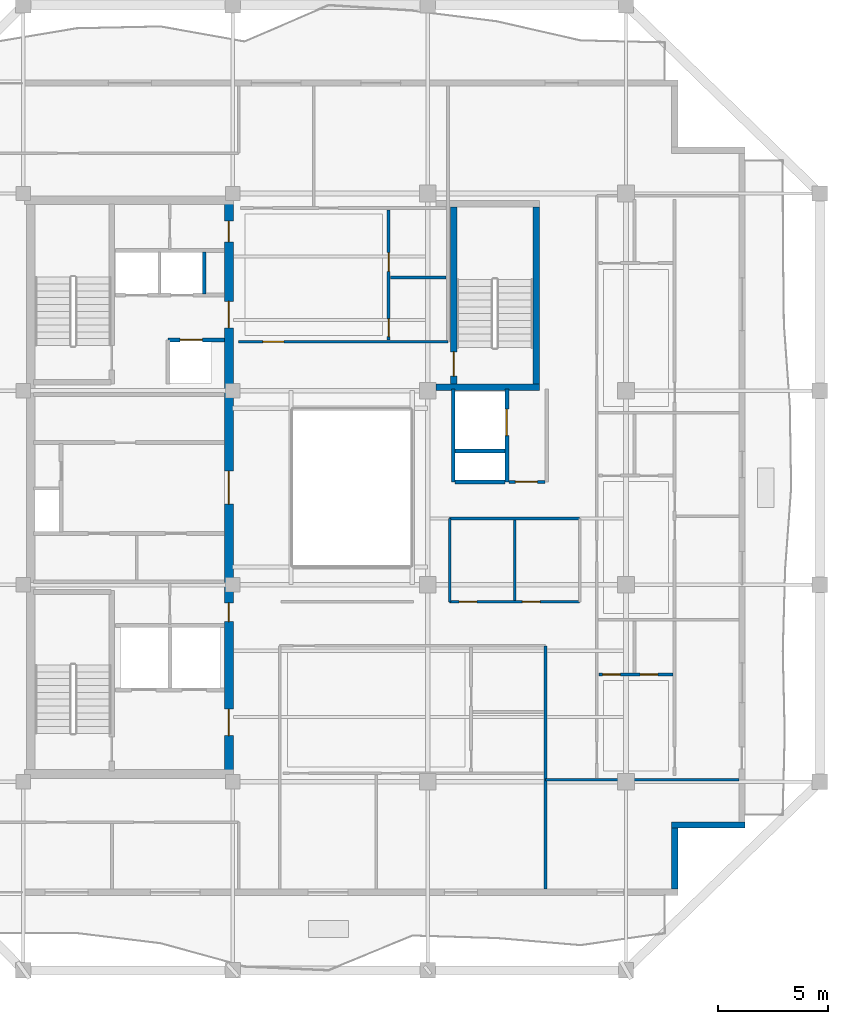
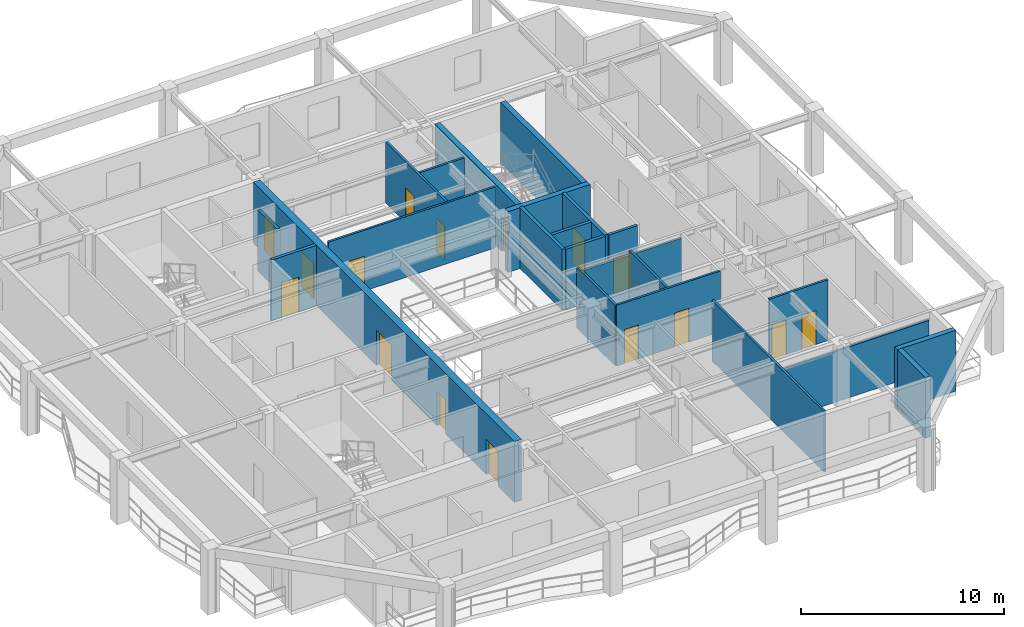
# One storey, part 4 of 10: 23 walls, 16 doors, 16 openings.
"""IFC4 building model written with IfcOpenShell, lengths in metres."""

from ifc_helpers import new_model, si_unit, direction, frame, frame_2d, origin, place, context, subcontext, project, spatial, rectangle, extrude, material, layer, layer_set, type_object, element, fill, save


model = new_model("IFC4")

# Units and contexts
model_context = context("Model", 3, precision=1e-05, world=origin(), true_north=direction((0.0, 1.0)))
body_context = subcontext(model_context, "Body", "Model", "MODEL_VIEW")
ifc_project = project(units=[si_unit("LENGTHUNIT", "METRE"), si_unit("AREAUNIT", "SQUARE_METRE"), si_unit("VOLUMEUNIT", "CUBIC_METRE"), si_unit("PLANEANGLEUNIT", "RADIAN"), si_unit("MASSUNIT", "GRAM", prefix="KILO")], contexts=[model_context])

# Site, building, storey
site_placement = place(None, origin())
site = spatial("IfcSite", under=ifc_project, at=site_placement, CompositionType="ELEMENT")
building_placement = place(site_placement, origin())
building = spatial("IfcBuilding", under=site, at=building_placement, Name="Kundavana Baori Tower", CompositionType="ELEMENT")
storey_placement = place(building_placement, frame((0.0, 0.0, 284.300048828125)))
storey = spatial("IfcBuildingStorey", under=building, at=storey_placement, Name="L70", CompositionType="ELEMENT", Elevation=284.300048828125)

# Wall, openings, doors
ifc_material_1 = material(Name="Concrete C50/60", Category="concrete")
ifc_layer_1 = layer(ifc_material_1, 0.39990234375, Name="WL-CORE-400")
ifc_layer_set_1 = layer_set([ifc_layer_1], Name="Concrete C50/60")
wall_type_1 = type_object("IfcWallType", Name="WL-CORE-400", PredefinedType="SHEAR", material=ifc_layer_set_1)
wall_1_placement = place(storey_placement, frame((24.780029296875, 15.739990234375, 0.0), z_axis=(0.0, 0.0, 1.0), x_axis=(0.0, 1.0, 0.0)))
wall_1 = element("IfcWall", 1, at=wall_1_placement, inside=storey, type_object=wall_type_1, Name="L70 Offset Core East Shear Wall", PredefinedType="SHEAR", context=body_context, shape_type="SweptSolid", body=[
    extrude(rectangle(XDim=25.760009765625, YDim=0.39990234375, at=frame_2d((12.8798828125, 0.0))), origin(), (0.0, 0.0, 1.0), 3.659912109375),
])
opening_1_placement = place(wall_1_placement, frame((1.610107421875, 0.0, 0.0)))
opening_1 = element("IfcOpeningElement", 2, at=opening_1_placement, cuts=wall_1, Name="Opening FD-120", PredefinedType="OPENING", context=body_context, shape_type="SweptSolid", body=[
    extrude(rectangle(XDim=1.199951171875, YDim=2.10009765625, at=frame_2d((0.60009765625, 1.050048828125))), frame((0.0, 0.2099609375, 0.0), z_axis=(0.0, -1.0, 0.0), x_axis=(1.0, 0.0, 0.0)), (0.0, 0.0, 1.0), 0.419921875),
])
opening_2_placement = place(wall_1_placement, frame((6.780029296875, 0.0, 0.0)))
opening_2 = element("IfcOpeningElement", 3, at=opening_2_placement, cuts=wall_1, Name="Opening FD-085", PredefinedType="OPENING", context=body_context, shape_type="SweptSolid", body=[
    extrude(rectangle(XDim=0.85009765625, YDim=2.06005859375, at=frame_2d((0.425048828125, 1.030029296875))), frame((0.0, 0.2099609375, 0.0), z_axis=(0.0, -1.0, 0.0), x_axis=(1.0, 0.0, 0.0)), (0.0, 0.0, 1.0), 0.419921875),
])
opening_3_placement = place(wall_1_placement, frame((12.110107421875, 0.0, 0.0)))
opening_3 = element("IfcOpeningElement", 4, at=opening_3_placement, cuts=wall_1, Name="Opening FD-150", PredefinedType="OPENING", context=body_context, shape_type="SweptSolid", body=[
    extrude(rectangle(XDim=1.5, YDim=2.1201171875, at=frame_2d((0.75, 1.06005859375))), frame((0.0, 0.2099609375, 0.0), z_axis=(0.0, -1.0, 0.0), x_axis=(1.0, 0.0, 0.0)), (0.0, 0.0, 1.0), 0.419921875),
])
opening_4_placement = place(wall_1_placement, frame((20.110107421875, 0.0, 0.0)))
opening_4 = element("IfcOpeningElement", 5, at=opening_4_placement, cuts=wall_1, Name="Opening FD-122", PredefinedType="OPENING", context=body_context, shape_type="SweptSolid", body=[
    extrude(rectangle(XDim=1.199951171875, YDim=2.1201171875, at=frame_2d((0.60009765625, 1.06005859375))), frame((0.0, 0.2099609375, 0.0), z_axis=(0.0, -1.0, 0.0), x_axis=(1.0, 0.0, 0.0)), (0.0, 0.0, 1.0), 0.419921875),
])
opening_5_placement = place(wall_1_placement, frame((24.010009765625, 0.0, 0.0)))
opening_5 = element("IfcOpeningElement", 6, at=opening_5_placement, cuts=wall_1, Name="Opening FD-095", PredefinedType="OPENING", context=body_context, shape_type="SweptSolid", body=[
    extrude(rectangle(XDim=0.949951171875, YDim=2.10009765625, at=frame_2d((0.47509765625, 1.050048828125))), frame((0.0, 0.2099609375, 0.0), z_axis=(0.0, -1.0, 0.0), x_axis=(1.0, 0.0, 0.0)), (0.0, 0.0, 1.0), 0.419921875),
])
ifc_material_2 = material(Name="Galvanised Steel Fire-Rated Door Leaf", Category="steel")
door_type_1 = type_object("IfcDoorType", Name="DR-FD120-1200", OperationType="NOTDEFINED", PredefinedType="DOOR", material=ifc_material_2)
door_1_placement = place(opening_1_placement, frame((1.199951171875, 0.0, 0.0), z_axis=(0.0, 0.0, 1.0), x_axis=(-1.0, 0.0, 0.0)))
door_1 = element("IfcDoor", 7, at=door_1_placement, inside=storey, type_object=door_type_1, Name="DR-L70-FFLOB-E", OperationType="SINGLE_SWING_RIGHT", OverallHeight=2.10009765625, OverallWidth=1.199951171875, PredefinedType="DOOR", context=body_context, shape_type="SweptSolid", body=[
    extrude(rectangle(XDim=1.199951171875, YDim=2.10009765625, at=frame_2d((0.60009765625, 1.050048828125))), frame((0.0, 0.02490234375, 0.0), z_axis=(0.0, -1.0, 0.0), x_axis=(1.0, 0.0, 0.0)), (0.0, 0.0, 1.0), 0.050048828125),
])
fill(opening_1, door_1)
ifc_material_3 = material(Name="Galvanised Steel Fire-Rated Door Leaf", Category="steel")
door_type_2 = type_object("IfcDoorType", Name="DR-FD60-1200", OperationType="NOTDEFINED", PredefinedType="DOOR", material=ifc_material_3)
door_2_placement = place(opening_4_placement, frame((1.199951171875, 0.0, 0.0), z_axis=(0.0, 0.0, 1.0), x_axis=(-1.0, 0.0, 0.0)))
door_2 = element("IfcDoor", 8, at=door_2_placement, inside=storey, type_object=door_type_2, Name="DR-L70-HRLOB-E", OperationType="SINGLE_SWING_RIGHT", OverallHeight=2.1201171875, OverallWidth=1.199951171875, PredefinedType="DOOR", context=body_context, shape_type="SweptSolid", body=[
    extrude(rectangle(XDim=1.199951171875, YDim=2.1201171875, at=frame_2d((0.60009765625, 1.06005859375))), frame((0.0, 0.02490234375, 0.0), z_axis=(0.0, -1.0, 0.0), x_axis=(1.0, 0.0, 0.0)), (0.0, 0.0, 1.0), 0.050048828125),
])
fill(opening_4, door_2)
ifc_material_4 = material(Name="Galvanised Steel Fire-Rated Door Leaf", Category="steel")
door_type_3 = type_object("IfcDoorType", Name="DR-FD60-1500", OperationType="NOTDEFINED", PredefinedType="DOOR", material=ifc_material_4)
door_3_placement = place(opening_3_placement, frame((1.5, 0.0, 0.0), z_axis=(0.0, 0.0, 1.0), x_axis=(-1.0, 0.0, 0.0)))
door_3 = element("IfcDoor", 9, at=door_3_placement, inside=storey, type_object=door_type_3, Name="DR-L70-LIFTHALL-E", OperationType="SINGLE_SWING_LEFT", OverallHeight=2.1201171875, OverallWidth=1.5, PredefinedType="DOOR", context=body_context, shape_type="SweptSolid", body=[
    extrude(rectangle(XDim=1.5, YDim=2.1201171875, at=frame_2d((0.75, 1.06005859375))), frame((0.0, 0.02490234375, 0.0), z_axis=(0.0, -1.0, 0.0), x_axis=(1.0, 0.0, 0.0)), (0.0, 0.0, 1.0), 0.050048828125),
])
fill(opening_3, door_3)
ifc_material_5 = material(Name="Galvanised Steel Fire-Rated Door Leaf", Category="steel")
door_type_4 = type_object("IfcDoorType", Name="DR-FD60-850", OperationType="NOTDEFINED", PredefinedType="DOOR", material=ifc_material_5)
door_4_placement = place(opening_2_placement, frame((0.85009765625, 0.0, 0.0), z_axis=(0.0, 0.0, 1.0), x_axis=(-1.0, 0.0, 0.0)))
door_4 = element("IfcDoor", 10, at=door_4_placement, inside=storey, type_object=door_type_4, Name="DR-L70-CSMK2", OperationType="SINGLE_SWING_RIGHT", OverallHeight=2.06005859375, OverallWidth=0.85009765625, PredefinedType="DOOR", context=body_context, shape_type="SweptSolid", body=[
    extrude(rectangle(XDim=0.85009765625, YDim=2.06005859375, at=frame_2d((0.425048828125, 1.030029296875))), frame((0.0, 0.02490234375, 0.0), z_axis=(0.0, -1.0, 0.0), x_axis=(1.0, 0.0, 0.0)), (0.0, 0.0, 1.0), 0.050048828125),
])
fill(opening_2, door_4)
ifc_material_6 = material(Name="Engineered Teak Fire-Rated Timber Door Leaf", Category="wood")
door_type_5 = type_object("IfcDoorType", Name="DR-FD60-950", OperationType="NOTDEFINED", PredefinedType="DOOR", material=ifc_material_6)
door_5_placement = place(opening_5_placement, frame((0.949951171875, 0.0, 0.0), z_axis=(0.0, 0.0, 1.0), x_axis=(-1.0, 0.0, 0.0)))
door_5 = element("IfcDoor", 11, at=door_5_placement, inside=storey, type_object=door_type_5, Name="DR-L70-CSRV2", OperationType="SINGLE_SWING_RIGHT", OverallHeight=2.10009765625, OverallWidth=0.949951171875, PredefinedType="DOOR", context=body_context, shape_type="SweptSolid", body=[
    extrude(rectangle(XDim=0.949951171875, YDim=2.10009765625, at=frame_2d((0.47509765625, 1.050048828125))), frame((0.0, 0.02490234375, 0.0), z_axis=(0.0, -1.0, 0.0), x_axis=(1.0, 0.0, 0.0)), (0.0, 0.0, 1.0), 0.050048828125),
])
fill(opening_5, door_5)

# Walls
ifc_material_7 = material(Name="Red-Buff Dholpur Sandstone Cladding on Concrete C40/50", Category="masonry")
ifc_layer_2 = layer(ifc_material_7, 0.280029296875, Name="WL-EXT-SAND-280")
ifc_layer_set_2 = layer_set([ifc_layer_2], Name="Red-Buff Dholpur Sandstone Cladding on Concrete C40/50")
wall_type_2 = type_object("IfcWallType", Name="WL-EXT-SAND-280", PredefinedType="STANDARD", material=ifc_layer_set_2)
wall_2_placement = place(storey_placement, frame((45.010009765625, 10.3798828125, 0.0), z_axis=(0.0, 0.0, 1.0), x_axis=(0.0, 1.0, 0.0)))
element("IfcWall", 12, at=wall_2_placement, inside=storey, type_object=wall_type_2, Name="L70 Exterior Insulated Facade Wall 02", PredefinedType="STANDARD", context=body_context, shape_type="SweptSolid", body=[
    extrude(rectangle(XDim=2.77001953125, YDim=0.280029296875, at=frame_2d((1.385009765625, 0.0))), origin(), (0.0, 0.0, 1.0), 3.659912109375),
])
wall_3_placement = place(storey_placement, frame((44.8701171875, 13.2900390625, 0.0), z_axis=(0.0, 0.0, 1.0), x_axis=(1.0, 0.0, 0.0)))
element("IfcWall", 13, at=wall_3_placement, inside=storey, type_object=wall_type_2, Name="L70 Exterior Insulated Facade Wall 03", PredefinedType="STANDARD", context=body_context, shape_type="SweptSolid", body=[
    extrude(rectangle(XDim=3.329833984375, YDim=0.280029296875, at=frame_2d((1.6650390625, 0.0))), origin(), (0.0, 0.0, 1.0), 3.659912109375),
])

# Wall, opening, door
ifc_material_8 = material(Name="Acoustic Gypsum Plasterboard on Galvanised Steel Studs", Category="steel")
ifc_layer_3 = layer(ifc_material_8, 0.1201171875, Name="WL-PART-120")
ifc_layer_set_3 = layer_set([ifc_layer_3], Name="Acoustic Gypsum Plasterboard on Galvanised Steel Studs")
wall_type_3 = type_object("IfcWallType", Name="WL-PART-120", PredefinedType="PARTITIONING", material=ifc_layer_set_3)
wall_4_placement = place(storey_placement, frame((25.219970703125, 35.219970703125, 0.0), z_axis=(0.0, 0.0, 1.0), x_axis=(1.0, 0.0, 0.0)))
wall_4 = element("IfcWall", 14, at=wall_4_placement, inside=storey, type_object=wall_type_3, Name="WL-L70-RN", PredefinedType="PARTITIONING", context=body_context, shape_type="SweptSolid", body=[
    extrude(rectangle(XDim=9.5, YDim=0.1201171875, at=frame_2d((4.75, 0.0))), origin(), (0.0, 0.0, 1.0), 3.659912109375),
])
opening_6_placement = place(wall_4_placement, frame((1.10009765625, 0.0, 0.0)))
opening_6 = element("IfcOpeningElement", 15, at=opening_6_placement, cuts=wall_4, Name="Opening FD-095", PredefinedType="OPENING", context=body_context, shape_type="SweptSolid", body=[
    extrude(rectangle(XDim=0.949951171875, YDim=2.10009765625, at=frame_2d((0.47509765625, 1.050048828125))), frame((0.0, 0.070068359375, 0.0), z_axis=(0.0, -1.0, 0.0), x_axis=(1.0, 0.0, 0.0)), (0.0, 0.0, 1.0), 0.14013671875),
])
door_6_placement = place(opening_6_placement, origin())
door_6 = element("IfcDoor", 16, at=door_6_placement, inside=storey, type_object=door_type_5, Name="DR-L70-N1-ENT", OperationType="SINGLE_SWING_LEFT", OverallHeight=2.10009765625, OverallWidth=0.949951171875, PredefinedType="DOOR", context=body_context, shape_type="SweptSolid", body=[
    extrude(rectangle(XDim=0.949951171875, YDim=2.10009765625, at=frame_2d((0.47509765625, 1.050048828125))), frame((0.0, 0.02490234375, 0.0), z_axis=(0.0, -1.0, 0.0), x_axis=(1.0, 0.0, 0.0)), (0.0, 0.0, 1.0), 0.050048828125),
])
fill(opening_6, door_6)

# Walls
wall_5_placement = place(storey_placement, frame((39.14990234375, 10.3798828125, 0.0), z_axis=(0.0, 0.0, 1.0), x_axis=(0.0, 1.0, 0.0)))
element("IfcWall", 17, at=wall_5_placement, inside=storey, type_object=wall_type_3, Name="WL-L70-RSEND", PredefinedType="PARTITIONING", context=body_context, shape_type="SweptSolid", body=[
    extrude(rectangle(XDim=11.0400390625, YDim=0.1201171875, at=frame_2d((5.52001953125, 0.0))), origin(), (0.0, 0.0, 1.0), 3.659912109375),
])
wall_6_placement = place(storey_placement, frame((39.14990234375, 15.35009765625, 0.0), z_axis=(0.0, 0.0, 1.0), x_axis=(1.0, 0.0, 0.0)))
element("IfcWall", 18, at=wall_6_placement, inside=storey, type_object=wall_type_3, Name="WL-L70-RES", PredefinedType="PARTITIONING", context=body_context, shape_type="SweptSolid", body=[
    extrude(rectangle(XDim=8.77001953125, YDim=0.1201171875, at=frame_2d((4.385009765625, 0.0))), origin(), (0.0, 0.0, 1.0), 3.06005859375),
])

# Wall, openings, doors
wall_7_placement = place(storey_placement, frame((34.800048828125, 23.419921875, 0.0), z_axis=(0.0, 0.0, 1.0), x_axis=(1.0, 0.0, 0.0)))
wall_7 = element("IfcWall", 19, at=wall_7_placement, inside=storey, type_object=wall_type_3, Name="WL-L70-ALS", PredefinedType="PARTITIONING", context=body_context, shape_type="SweptSolid", body=[
    extrude(rectangle(XDim=5.89990234375, YDim=0.1201171875, at=frame_2d((2.949951171875, 0.0))), origin(), (0.0, 0.0, 1.0), 3.659912109375),
])
opening_7_placement = place(wall_7_placement, frame((0.429931640625, 0.0, 0.0)))
opening_7 = element("IfcOpeningElement", 20, at=opening_7_placement, cuts=wall_7, Name="Opening WD-080", PredefinedType="OPENING", context=body_context, shape_type="SweptSolid", body=[
    extrude(rectangle(XDim=0.800048828125, YDim=2.050048828125, at=frame_2d((0.39990234375, 1.02490234375))), frame((0.0, 0.070068359375, 0.0), z_axis=(0.0, -1.0, 0.0), x_axis=(1.0, 0.0, 0.0)), (0.0, 0.0, 1.0), 0.14013671875),
])
opening_8_placement = place(wall_7_placement, frame((3.300048828125, 0.0, 0.0)))
opening_8 = element("IfcOpeningElement", 21, at=opening_8_placement, cuts=wall_7, Name="Opening WD-080", PredefinedType="OPENING", context=body_context, shape_type="SweptSolid", body=[
    extrude(rectangle(XDim=0.800048828125, YDim=2.050048828125, at=frame_2d((0.39990234375, 1.02490234375))), frame((0.0, 0.070068359375, 0.0), z_axis=(0.0, -1.0, 0.0), x_axis=(1.0, 0.0, 0.0)), (0.0, 0.0, 1.0), 0.14013671875),
])
ifc_material_9 = material(Name="Engineered Teak Solid-Core Timber Veneer", Category="wood")
door_type_6 = type_object("IfcDoorType", Name="DR-WET-800", OperationType="NOTDEFINED", PredefinedType="DOOR", material=ifc_material_9)
door_7_placement = place(opening_7_placement, origin())
door_7 = element("IfcDoor", 22, at=door_7_placement, inside=storey, type_object=door_type_6, Name="DR-L70-RALC1", OperationType="SINGLE_SWING_LEFT", OverallHeight=2.050048828125, OverallWidth=0.800048828125, PredefinedType="DOOR", context=body_context, shape_type="SweptSolid", body=[
    extrude(rectangle(XDim=0.800048828125, YDim=2.050048828125, at=frame_2d((0.39990234375, 1.02490234375))), frame((0.0, 0.02490234375, 0.0), z_axis=(0.0, -1.0, 0.0), x_axis=(1.0, 0.0, 0.0)), (0.0, 0.0, 1.0), 0.050048828125),
])
fill(opening_7, door_7)
door_8_placement = place(opening_8_placement, origin())
door_8 = element("IfcDoor", 23, at=door_8_placement, inside=storey, type_object=door_type_6, Name="DR-L70-RALC2", OperationType="SINGLE_SWING_LEFT", OverallHeight=2.050048828125, OverallWidth=0.800048828125, PredefinedType="DOOR", context=body_context, shape_type="SweptSolid", body=[
    extrude(rectangle(XDim=0.800048828125, YDim=2.050048828125, at=frame_2d((0.39990234375, 1.02490234375))), frame((0.0, 0.02490234375, 0.0), z_axis=(0.0, -1.0, 0.0), x_axis=(1.0, 0.0, 0.0)), (0.0, 0.0, 1.0), 0.050048828125),
])
fill(opening_8, door_8)

# Walls
wall_8_placement = place(storey_placement, frame((34.800048828125, 27.199951171875, 0.0), z_axis=(0.0, 0.0, 1.0), x_axis=(1.0, 0.0, 0.0)))
element("IfcWall", 24, at=wall_8_placement, inside=storey, type_object=wall_type_3, Name="WL-L70-ALN", PredefinedType="PARTITIONING", context=body_context, shape_type="SweptSolid", body=[
    extrude(rectangle(XDim=5.89990234375, YDim=0.1201171875, at=frame_2d((2.949951171875, 0.0))), origin(), (0.0, 0.0, 1.0), 3.35986328125),
])
wall_9_placement = place(storey_placement, frame((34.800048828125, 23.419921875, 0.0), z_axis=(0.0, 0.0, 1.0), x_axis=(0.0, 1.0, 0.0)))
element("IfcWall", 25, at=wall_9_placement, inside=storey, type_object=wall_type_3, Name="WL-L70-ALW", PredefinedType="PARTITIONING", context=body_context, shape_type="SweptSolid", body=[
    extrude(rectangle(XDim=3.780029296875, YDim=0.1201171875, at=frame_2d((1.89013671875, 0.0))), origin(), (0.0, 0.0, 1.0), 3.659912109375),
])
wall_10_placement = place(storey_placement, frame((37.75, 23.47998046875, 0.0), z_axis=(0.0, 0.0, 1.0), x_axis=(0.0, 1.0, 0.0)))
element("IfcWall", 26, at=wall_10_placement, inside=storey, type_object=wall_type_3, Name="WL-L70-ALD1", PredefinedType="PARTITIONING", context=body_context, shape_type="SweptSolid", body=[
    extrude(rectangle(XDim=3.659912109375, YDim=0.1201171875, at=frame_2d((1.830078125, 0.0))), origin(), (0.0, 0.0, 1.0), 3.659912109375),
])

# Wall, opening, door
ifc_material_10 = material(Name="Fire-Rated Gypsum Drywall on Galvanised Steel Studs", Category="steel")
ifc_layer_4 = layer(ifc_material_10, 0.14990234375, Name="WL-PART-150")
ifc_layer_set_4 = layer_set([ifc_layer_4], Name="Fire-Rated Gypsum Drywall on Galvanised Steel Studs")
wall_type_4 = type_object("IfcWallType", Name="WL-PART-150", PredefinedType="PARTITIONING", material=ifc_layer_set_4)
wall_11_placement = place(storey_placement, frame((37.47998046875, 28.860107421875, 0.0), z_axis=(0.0, 0.0, 1.0), x_axis=(1.0, 0.0, 0.0)))
wall_11 = element("IfcWall", 27, at=wall_11_placement, inside=storey, type_object=wall_type_4, Name="WL-L70-SVLOB-S", PredefinedType="PARTITIONING", context=body_context, shape_type="SweptSolid", body=[
    extrude(rectangle(XDim=1.64013671875, YDim=0.14990234375, at=frame_2d((0.820068359375, 0.0))), origin(), (0.0, 0.0, 1.0), 3.659912109375),
])
opening_9_placement = place(wall_11_placement, frame((0.300048828125, 0.0, 0.0)))
opening_9 = element("IfcOpeningElement", 28, at=opening_9_placement, cuts=wall_11, Name="Opening FD-100", PredefinedType="OPENING", context=body_context, shape_type="SweptSolid", body=[
    extrude(rectangle(XDim=1.0, YDim=2.10009765625, at=frame_2d((0.5, 1.050048828125))), frame((0.0, 0.0849609375, 0.0), z_axis=(0.0, -1.0, 0.0), x_axis=(1.0, 0.0, 0.0)), (0.0, 0.0, 1.0), 0.169921875),
])
ifc_material_11 = material(Name="Engineered Teak Fire-Rated Timber Door Leaf", Category="wood")
door_type_7 = type_object("IfcDoorType", Name="DR-FD60-1000", OperationType="NOTDEFINED", PredefinedType="DOOR", material=ifc_material_11)
door_9_placement = place(opening_9_placement, origin())
door_9 = element("IfcDoor", 29, at=door_9_placement, inside=storey, type_object=door_type_7, Name="DR-L70-SVLOB-OUT", OperationType="SINGLE_SWING_LEFT", OverallHeight=2.10009765625, OverallWidth=1.0, PredefinedType="DOOR", context=body_context, shape_type="SweptSolid", body=[
    extrude(rectangle(XDim=1.0, YDim=2.10009765625, at=frame_2d((0.5, 1.050048828125))), frame((0.0, 0.02490234375, 0.0), z_axis=(0.0, -1.0, 0.0), x_axis=(1.0, 0.0, 0.0)), (0.0, 0.0, 1.0), 0.050048828125),
])
fill(opening_9, door_9)

ifc_material_12 = material(Name="Autoclaved Aerated Concrete Blockwork Masonry", Category="masonry")
ifc_layer_5 = layer(ifc_material_12, 0.179931640625, Name="WL-SHAFT-180")
ifc_layer_set_5 = layer_set([ifc_layer_5], Name="Autoclaved Aerated Concrete Blockwork Masonry")
wall_type_5 = type_object("IfcWallType", Name="WL-SHAFT-180", PredefinedType="SOLIDWALL", material=ifc_layer_set_5)
wall_12_placement = place(storey_placement, frame((22.02001953125, 35.31005859375, 0.0), z_axis=(0.0, 0.0, 1.0), x_axis=(1.0, 0.0, 0.0)))
wall_12 = element("IfcWall", 30, at=wall_12_placement, inside=storey, type_object=wall_type_5, Name="WL-L70-LP11-N", PredefinedType="SOLIDWALL", context=body_context, shape_type="SweptSolid", body=[
    extrude(rectangle(XDim=2.56005859375, YDim=0.179931640625, at=frame_2d((1.280029296875, 0.0))), origin(), (0.0, 0.0, 1.0), 3.659912109375),
])
opening_10_placement = place(wall_12_placement, frame((0.550048828125, 0.0, 0.0)))
opening_10 = element("IfcOpeningElement", 31, at=opening_10_placement, cuts=wall_12, Name="Opening LD-100", PredefinedType="OPENING", context=body_context, shape_type="SweptSolid", body=[
    extrude(rectangle(XDim=1.0, YDim=2.10009765625, at=frame_2d((0.5, 1.050048828125))), frame((0.0, 0.10009765625, 0.0), z_axis=(0.0, -1.0, 0.0), x_axis=(1.0, 0.0, 0.0)), (0.0, 0.0, 1.0), 0.199951171875),
])
ifc_material_13 = material(Name="Galvanised Steel Fire-Rated Door Leaf", Category="steel")
door_type_8 = type_object("IfcDoorType", Name="DR-SLIDE-LD1000", OperationType="NOTDEFINED", PredefinedType="DOOR", material=ifc_material_13)
door_10_placement = place(opening_10_placement, origin())
door_10 = element("IfcDoor", 32, at=door_10_placement, inside=storey, type_object=door_type_8, Name="DR-L70-LD-LP11", OperationType="DOUBLE_DOOR_SLIDING", OverallHeight=2.10009765625, OverallWidth=1.0, PredefinedType="DOOR", context=body_context, shape_type="SweptSolid", body=[
    extrude(rectangle(XDim=1.0, YDim=2.10009765625, at=frame_2d((0.5, 1.050048828125))), frame((0.0, 0.02490234375, 0.0), z_axis=(0.0, -1.0, 0.0), x_axis=(1.0, 0.0, 0.0)), (0.0, 0.0, 1.0), 0.050048828125),
])
fill(opening_10, door_10)

# Walls
wall_13_placement = place(storey_placement, frame((23.659912109375, 37.39990234375, 0.0), z_axis=(0.0, 0.0, 1.0), x_axis=(0.0, 1.0, 0.0)))
element("IfcWall", 33, at=wall_13_placement, inside=storey, type_object=wall_type_5, Name="WL-L70-HR-DIV2", PredefinedType="SOLIDWALL", context=body_context, shape_type="SweptSolid", body=[
    extrude(rectangle(XDim=1.900146484375, YDim=0.179931640625, at=frame_2d((0.9501953125, 0.0))), origin(), (0.0, 0.0, 1.0), 3.659912109375),
])
wall_14_placement = place(storey_placement, frame((34.9599609375, 28.860107421875, 0.0), z_axis=(0.0, 0.0, 1.0), x_axis=(0.0, 1.0, 0.0)))
element("IfcWall", 34, at=wall_14_placement, inside=storey, type_object=wall_type_5, Name="WL-L70-SVL-W", PredefinedType="SOLIDWALL", context=body_context, shape_type="SweptSolid", body=[
    extrude(rectangle(XDim=4.219970703125, YDim=0.179931640625, at=frame_2d((2.10986328125, 0.0))), origin(), (0.0, 0.0, 1.0), 3.659912109375),
])

# Wall, opening, door
wall_15_placement = place(storey_placement, frame((37.389892578125, 28.860107421875, 0.0), z_axis=(0.0, 0.0, 1.0), x_axis=(0.0, 1.0, 0.0)))
wall_15 = element("IfcWall", 35, at=wall_15_placement, inside=storey, type_object=wall_type_5, Name="WL-L70-SVL-E", PredefinedType="SOLIDWALL", context=body_context, shape_type="SweptSolid", body=[
    extrude(rectangle(XDim=4.219970703125, YDim=0.179931640625, at=frame_2d((2.10986328125, 0.0))), origin(), (0.0, 0.0, 1.0), 3.659912109375),
])
opening_11_placement = place(wall_15_placement, frame((2.10009765625, 0.0, 0.0)))
opening_11 = element("IfcOpeningElement", 36, at=opening_11_placement, cuts=wall_15, Name="Opening LD-120", PredefinedType="OPENING", context=body_context, shape_type="SweptSolid", body=[
    extrude(rectangle(XDim=1.199951171875, YDim=2.1201171875, at=frame_2d((0.60009765625, 1.06005859375))), frame((0.0, 0.10009765625, 0.0), z_axis=(0.0, -1.0, 0.0), x_axis=(1.0, 0.0, 0.0)), (0.0, 0.0, 1.0), 0.199951171875),
])
ifc_material_14 = material(Name="Galvanised Steel Fire-Rated Door Leaf", Category="steel")
door_type_9 = type_object("IfcDoorType", Name="DR-SLIDE-LD1200", OperationType="NOTDEFINED", PredefinedType="DOOR", material=ifc_material_14)
door_11_placement = place(opening_11_placement, frame((1.199951171875, 0.0, 0.0), z_axis=(0.0, 0.0, 1.0), x_axis=(-1.0, 0.0, 0.0)))
door_11 = element("IfcDoor", 37, at=door_11_placement, inside=storey, type_object=door_type_9, Name="DR-L70-LD-SVL1", OperationType="DOUBLE_DOOR_SLIDING", OverallHeight=2.1201171875, OverallWidth=1.199951171875, PredefinedType="DOOR", context=body_context, shape_type="SweptSolid", body=[
    extrude(rectangle(XDim=1.199951171875, YDim=2.1201171875, at=frame_2d((0.60009765625, 1.06005859375))), frame((0.0, 0.02490234375, 0.0), z_axis=(0.0, -1.0, 0.0), x_axis=(1.0, 0.0, 0.0)), (0.0, 0.0, 1.0), 0.050048828125),
])
fill(opening_11, door_11)

# Walls
for number, where, z_axis, x_axis, name in (
    (38, (35.050048828125, 28.860107421875, 0.0), (0.0, 0.0, 1.0), (1.0, 0.0, 0.0), "WL-L70-SVL-S"),
    (39, (35.050048828125, 30.27001953125, 0.0), (0.0, 0.0, 1.0), (1.0, 0.0, 0.0), "WL-L70-SVL-M"),
):
    element("IfcWall", number, at=place(storey_placement, frame(where, z_axis=z_axis, x_axis=x_axis)), inside=storey, type_object=wall_type_5, Name=name, PredefinedType="SOLIDWALL", context=body_context, shape_type="SweptSolid", body=[
        extrude(rectangle(XDim=2.25, YDim=0.179931640625, at=frame_2d((1.125, 0.0))), origin(), (0.0, 0.0, 1.0), 3.659912109375),
    ])
ifc_material_15 = material(Name="Concrete C50/60", Category="concrete")
ifc_layer_6 = layer(ifc_material_15, 0.300048828125, Name="WL-ST3-300")
ifc_layer_set_6 = layer_set([ifc_layer_6], Name="Concrete C50/60")
wall_type_6 = type_object("IfcWallType", Name="WL-ST3-300", PredefinedType="SHEAR", material=ifc_layer_set_6)
wall_16_placement = place(storey_placement, frame((34.175048828125, 33.159912109375, 0.0), z_axis=(0.0, 0.0, 1.0), x_axis=(1.0, 0.0, 0.0)))
element("IfcWall", 40, at=wall_16_placement, inside=storey, type_object=wall_type_6, Name="L70 Stair ST3 South Shear Wall", PredefinedType="SHEAR", context=body_context, shape_type="SweptSolid", body=[
    extrude(rectangle(XDim=4.695068359375, YDim=0.300048828125, at=frame_2d((2.34765625, 0.0))), origin(), (0.0, 0.0, 1.0), 3.659912109375),
])

# Wall, opening, door
wall_17_placement = place(storey_placement, frame((34.97998046875, 33.31005859375, 0.0), z_axis=(0.0, 0.0, 1.0), x_axis=(0.0, 1.0, 0.0)))
wall_17 = element("IfcWall", 41, at=wall_17_placement, inside=storey, type_object=wall_type_6, Name="L70 Stair ST3 West Shear Wall", PredefinedType="SHEAR", context=body_context, shape_type="SweptSolid", body=[
    extrude(rectangle(XDim=8.030029296875, YDim=0.300048828125, at=frame_2d((4.01513671875, 0.0))), origin(), (0.0, 0.0, 1.0), 3.659912109375),
])
opening_12_placement = place(wall_17_placement, frame((0.35009765625, 0.0, 0.0)))
opening_12 = element("IfcOpeningElement", 42, at=opening_12_placement, cuts=wall_17, Name="Opening FD-110", PredefinedType="OPENING", context=body_context, shape_type="SweptSolid", body=[
    extrude(rectangle(XDim=1.10009765625, YDim=2.10009765625, at=frame_2d((0.550048828125, 1.050048828125))), frame((0.0, 0.16015625, 0.0), z_axis=(0.0, -1.0, 0.0), x_axis=(1.0, 0.0, 0.0)), (0.0, 0.0, 1.0), 0.320068359375),
])
ifc_material_16 = material(Name="Galvanised Steel Fire-Rated Door Leaf", Category="steel")
door_type_10 = type_object("IfcDoorType", Name="DR-FD120-1100", OperationType="NOTDEFINED", PredefinedType="DOOR", material=ifc_material_16)
door_12_placement = place(opening_12_placement, origin())
door_12 = element("IfcDoor", 43, at=door_12_placement, inside=storey, type_object=door_type_10, Name="DR-L70-ST3-W", OperationType="SINGLE_SWING_LEFT", OverallHeight=2.10009765625, OverallWidth=1.10009765625, PredefinedType="DOOR", context=body_context, shape_type="SweptSolid", body=[
    extrude(rectangle(XDim=1.10009765625, YDim=2.10009765625, at=frame_2d((0.550048828125, 1.050048828125))), frame((0.0, 0.02490234375, 0.0), z_axis=(0.0, -1.0, 0.0), x_axis=(1.0, 0.0, 0.0)), (0.0, 0.0, 1.0), 0.050048828125),
])
fill(opening_12, door_12)

# Wall
wall_18_placement = place(storey_placement, frame((38.719970703125, 33.31005859375, 0.0), z_axis=(0.0, 0.0, 1.0), x_axis=(0.0, 1.0, 0.0)))
element("IfcWall", 44, at=wall_18_placement, inside=storey, type_object=wall_type_6, Name="L70 Stair ST3 East Shear Wall", PredefinedType="SHEAR", context=body_context, shape_type="SweptSolid", body=[
    extrude(rectangle(XDim=8.030029296875, YDim=0.300048828125, at=frame_2d((4.01513671875, 0.0))), origin(), (0.0, 0.0, 1.0), 3.659912109375),
])

# Wall, openings, doors
ifc_material_17 = material(Name="Autoclaved Aerated Concrete Blockwork Masonry", Category="masonry")
ifc_layer_7 = layer(ifc_material_17, 0.125, Name="WL-WET-120")
ifc_layer_set_7 = layer_set([ifc_layer_7], Name="Autoclaved Aerated Concrete Blockwork Masonry")
wall_type_7 = type_object("IfcWallType", Name="WL-WET-120", PredefinedType="PLUMBINGWALL", material=ifc_layer_set_7)
wall_19_placement = place(storey_placement, frame((32.02490234375, 35.300048828125, 0.0), z_axis=(0.0, 0.0, 1.0), x_axis=(0.0, 1.0, 0.0)))
wall_19 = element("IfcWall", 45, at=wall_19_placement, inside=storey, type_object=wall_type_7, Name="WL-L70-N1-KT", PredefinedType="PLUMBINGWALL", context=body_context, shape_type="SweptSolid", body=[
    extrude(rectangle(XDim=5.909912109375, YDim=0.125, at=frame_2d((2.955078125, 0.0))), origin(), (0.0, 0.0, 1.0), 3.659912109375),
])
opening_13_placement = place(wall_19_placement, frame((0.159912109375, 0.0, 0.0)))
opening_13 = element("IfcOpeningElement", 46, at=opening_13_placement, cuts=wall_19, Name="Opening WD-080", PredefinedType="OPENING", context=body_context, shape_type="SweptSolid", body=[
    extrude(rectangle(XDim=0.800048828125, YDim=2.050048828125, at=frame_2d((0.39990234375, 1.02490234375))), frame((0.0, 0.072509765625, 0.0), z_axis=(0.0, -1.0, 0.0), x_axis=(1.0, 0.0, 0.0)), (0.0, 0.0, 1.0), 0.14501953125),
])
opening_14_placement = place(wall_19_placement, frame((3.116943359375, 0.0, 0.0)))
opening_14 = element("IfcOpeningElement", 47, at=opening_14_placement, cuts=wall_19, Name="Opening ID-085", PredefinedType="OPENING", context=body_context, shape_type="SweptSolid", body=[
    extrude(rectangle(XDim=0.85009765625, YDim=2.080078125, at=frame_2d((0.425048828125, 1.0400390625))), frame((0.0, 0.072509765625, 0.0), z_axis=(0.0, -1.0, 0.0), x_axis=(1.0, 0.0, 0.0)), (0.0, 0.0, 1.0), 0.14501953125),
])
ifc_material_18 = material(Name="Engineered Teak Solid-Core Timber Veneer", Category="wood")
door_type_11 = type_object("IfcDoorType", Name="DR-INT-850", OperationType="NOTDEFINED", PredefinedType="DOOR", material=ifc_material_18)
door_13_placement = place(opening_14_placement, origin())
door_13 = element("IfcDoor", 48, at=door_13_placement, inside=storey, type_object=door_type_11, Name="DR-L70-N1-KT", OperationType="SINGLE_SWING_RIGHT", OverallHeight=2.080078125, OverallWidth=0.85009765625, PredefinedType="DOOR", context=body_context, shape_type="SweptSolid", body=[
    extrude(rectangle(XDim=0.85009765625, YDim=2.080078125, at=frame_2d((0.425048828125, 1.0400390625))), frame((0.0, 0.02490234375, 0.0), z_axis=(0.0, -1.0, 0.0), x_axis=(1.0, 0.0, 0.0)), (0.0, 0.0, 1.0), 0.050048828125),
])
fill(opening_14, door_13)
door_14_placement = place(opening_13_placement, origin())
door_14 = element("IfcDoor", 49, at=door_14_placement, inside=storey, type_object=door_type_6, Name="DR-L70-N1-BT", OperationType="SINGLE_SWING_LEFT", OverallHeight=2.050048828125, OverallWidth=0.800048828125, PredefinedType="DOOR", context=body_context, shape_type="SweptSolid", body=[
    extrude(rectangle(XDim=0.800048828125, YDim=2.050048828125, at=frame_2d((0.39990234375, 1.02490234375))), frame((0.0, 0.02490234375, 0.0), z_axis=(0.0, -1.0, 0.0), x_axis=(1.0, 0.0, 0.0)), (0.0, 0.0, 1.0), 0.050048828125),
])
fill(opening_13, door_14)

# Wall
wall_20_placement = place(storey_placement, frame((32.10498046875, 38.136962890625, 0.0), z_axis=(0.0, 0.0, 1.0), x_axis=(1.0, 0.0, 0.0)))
element("IfcWall", 50, at=wall_20_placement, inside=storey, type_object=wall_type_7, Name="WL-L70-N1-BT", PredefinedType="PLUMBINGWALL", context=body_context, shape_type="SweptSolid", body=[
    extrude(rectangle(XDim=2.534912109375, YDim=0.125, at=frame_2d((1.267578125, 0.0))), origin(), (0.0, 0.0, 1.0), 3.659912109375),
])

# Wall, openings, doors
wall_21_placement = place(storey_placement, frame((41.580078125, 20.1201171875, 0.0), z_axis=(0.0, 0.0, 1.0), x_axis=(1.0, 0.0, 0.0)))
wall_21 = element("IfcWall", 51, at=wall_21_placement, inside=storey, type_object=wall_type_7, Name="WL-L70-E1-KH", PredefinedType="PLUMBINGWALL", context=body_context, shape_type="SweptSolid", body=[
    extrude(rectangle(XDim=3.343994140625, YDim=0.125, at=frame_2d((1.671875, 0.0))), origin(), (0.0, 0.0, 1.0), 3.659912109375),
])
opening_15_placement = place(wall_21_placement, frame((0.159912109375, 0.0, 0.0)))
opening_15 = element("IfcOpeningElement", 52, at=opening_15_placement, cuts=wall_21, Name="Opening WD-080", PredefinedType="OPENING", context=body_context, shape_type="SweptSolid", body=[
    extrude(rectangle(XDim=0.800048828125, YDim=2.050048828125, at=frame_2d((0.39990234375, 1.02490234375))), frame((0.0, 0.072509765625, 0.0), z_axis=(0.0, -1.0, 0.0), x_axis=(1.0, 0.0, 0.0)), (0.0, 0.0, 1.0), 0.14501953125),
])
opening_16_placement = place(wall_21_placement, frame((1.864990234375, 0.0, 0.0)))
opening_16 = element("IfcOpeningElement", 53, at=opening_16_placement, cuts=wall_21, Name="Opening WD-080", PredefinedType="OPENING", context=body_context, shape_type="SweptSolid", body=[
    extrude(rectangle(XDim=0.800048828125, YDim=2.050048828125, at=frame_2d((0.39990234375, 1.02490234375))), frame((0.0, 0.072509765625, 0.0), z_axis=(0.0, -1.0, 0.0), x_axis=(1.0, 0.0, 0.0)), (0.0, 0.0, 1.0), 0.14501953125),
])
door_15_placement = place(opening_15_placement, origin())
door_15 = element("IfcDoor", 54, at=door_15_placement, inside=storey, type_object=door_type_6, Name="DR-L70-E1-BT", OperationType="SINGLE_SWING_LEFT", OverallHeight=2.050048828125, OverallWidth=0.800048828125, PredefinedType="DOOR", context=body_context, shape_type="SweptSolid", body=[
    extrude(rectangle(XDim=0.800048828125, YDim=2.050048828125, at=frame_2d((0.39990234375, 1.02490234375))), frame((0.0, 0.02490234375, 0.0), z_axis=(0.0, -1.0, 0.0), x_axis=(1.0, 0.0, 0.0)), (0.0, 0.0, 1.0), 0.050048828125),
])
fill(opening_15, door_15)
door_16_placement = place(opening_16_placement, origin())
door_16 = element("IfcDoor", 55, at=door_16_placement, inside=storey, type_object=door_type_6, Name="DR-L70-E1-KT", OperationType="SINGLE_SWING_RIGHT", OverallHeight=2.050048828125, OverallWidth=0.800048828125, PredefinedType="DOOR", context=body_context, shape_type="SweptSolid", body=[
    extrude(rectangle(XDim=0.800048828125, YDim=2.050048828125, at=frame_2d((0.39990234375, 1.02490234375))), frame((0.0, 0.02490234375, 0.0), z_axis=(0.0, -1.0, 0.0), x_axis=(1.0, 0.0, 0.0)), (0.0, 0.0, 1.0), 0.050048828125),
])
fill(opening_16, door_16)

save(model, "model.ifc")
